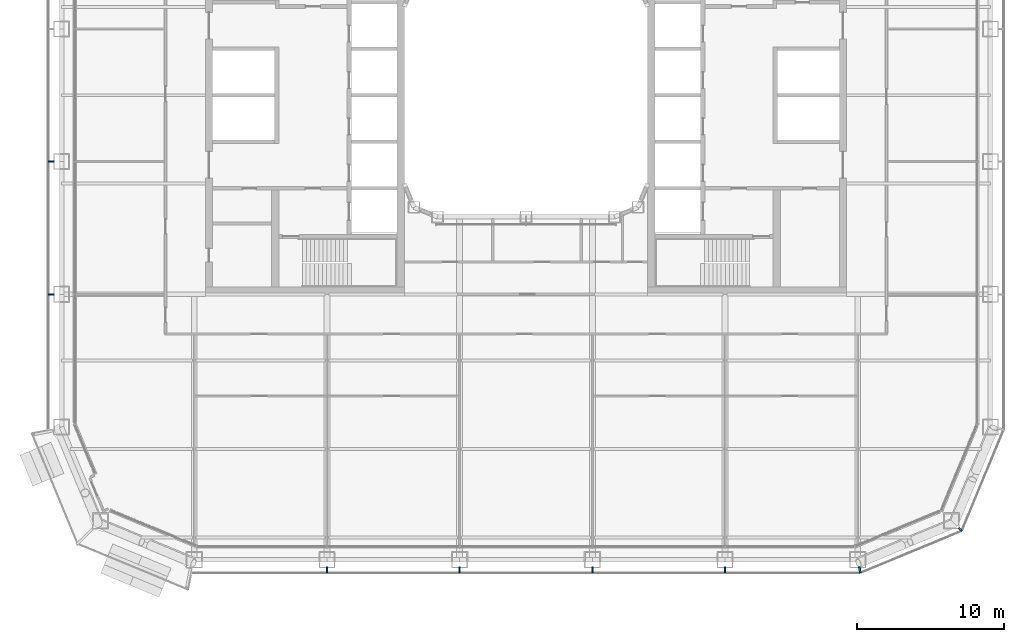
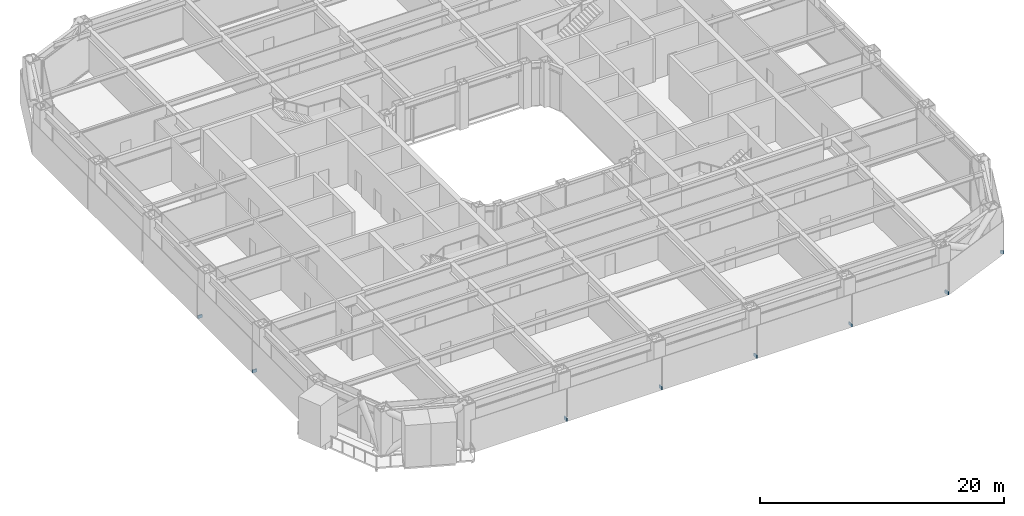
# One storey, part 19 of 27: 8 discrete accessories.
"""IFC4 building model written with IfcOpenShell, lengths in metres."""

from ifc_helpers import new_model, si_unit, direction, frame, origin, origin_2d, place, context, subcontext, project, spatial, rectangle, extrude, material, type_object, element, save


model = new_model("IFC4")

# Units and contexts
model_context = context("Model", 3, precision=1e-05, world=origin(), true_north=direction((0.0, 1.0)))
body_context = subcontext(model_context, "Body", "Model", "MODEL_VIEW")
ifc_project = project(units=[si_unit("LENGTHUNIT", "METRE"), si_unit("AREAUNIT", "SQUARE_METRE"), si_unit("VOLUMEUNIT", "CUBIC_METRE"), si_unit("PLANEANGLEUNIT", "RADIAN"), si_unit("MASSUNIT", "GRAM", prefix="KILO")], contexts=[model_context])

# Site, building, storey
site_placement = place(None, origin())
site = spatial("IfcSite", under=ifc_project, at=site_placement, CompositionType="ELEMENT")
building_placement = place(site_placement, origin())
building = spatial("IfcBuilding", under=site, at=building_placement, Name="Siwar Civic Tower", CompositionType="ELEMENT")
storey_placement = place(building_placement, frame((0.0, 0.0, 35.699951171875)))
storey = spatial("IfcBuildingStorey", under=building, at=storey_placement, Name="L07", CompositionType="ELEMENT", Elevation=35.699951171875)

# Discrete accessories
ifc_material = material(Name="Stainless steel 316", Category="steel")
discrete_accessory_type = type_object("IfcDiscreteAccessoryType", Name="ENV-BRACKET", PredefinedType="BRACKET", material=ifc_material)
for number, where, z_axis, x_axis, name in (
    (1, (-13.5, -32.18994140625, -0.14990234375), (0.0, 0.0, 1.0), (0.0, -1.0, 0.0), "Bracket outer skin joint S-01"),
    (2, (-4.5, -32.18994140625, -0.14990234375), (0.0, 0.0, 1.0), (0.0, -1.0, 0.0), "Bracket outer skin joint S-02"),
    (3, (4.5, -32.18994140625, -0.14990234375), (0.0, 0.0, 1.0), (0.0, -1.0, 0.0), "Bracket outer skin joint S-03"),
    (4, (13.5, -32.18994140625, -0.14990234375), (0.0, 0.0, 1.0), (0.0, -1.0, 0.0), "Bracket outer skin joint S-04"),
):
    element("IfcDiscreteAccessory", number, at=place(storey_placement, frame(where, z_axis=z_axis, x_axis=x_axis)), inside=storey, type_object=discrete_accessory_type, Name=name, PredefinedType="BRACKET", context=body_context, shape_type="SweptSolid", body=[
        extrude(rectangle(XDim=0.419921875, YDim=0.10009765625, at=origin_2d()), origin(), (0.0, 0.0, 1.0), 0.300048828125),
    ])
discrete_accessory_1_placement = place(storey_placement, frame((22.63720703125, -32.190185546875, -0.14990234375), z_axis=(0.0, 0.0, 1.0), x_axis=(0.195090322016, -0.980785280403, 0.0)))
element("IfcDiscreteAccessory", 5, at=discrete_accessory_1_placement, inside=storey, type_object=discrete_accessory_type, Name="Bracket outer skin joint V01", PredefinedType="BRACKET", context=body_context, shape_type="SweptSolid", body=[
    extrude(rectangle(XDim=0.427734375, YDim=0.13720703125, at=origin_2d()), origin(), (0.0, 0.0, 1.0), 0.300048828125),
])
discrete_accessory_2_placement = place(storey_placement, frame((29.451416015625, -29.451416015625, -0.14990234375), z_axis=(0.0, 0.0, 1.0), x_axis=(0.707106781187, -0.707106781187, 0.0)))
element("IfcDiscreteAccessory", 6, at=discrete_accessory_2_placement, inside=storey, type_object=discrete_accessory_type, Name="Bracket outer skin joint V02", PredefinedType="BRACKET", context=body_context, shape_type="SweptSolid", body=[
    extrude(rectangle(XDim=0.287109375, YDim=0.12939453125, at=origin_2d()), origin(), (0.0, 0.0, 1.0), 0.300048828125),
])
for number, where, z_axis, x_axis, name in (
    (7, (-32.18994140625, -4.5, -0.14990234375), (0.0, 0.0, 1.0), (-1.0, 0.0, 0.0), "Bracket outer skin joint W-03"),
    (8, (-32.18994140625, -13.5, -0.14990234375), (0.0, 0.0, 1.0), (-1.0, 0.0, 0.0), "Bracket outer skin joint W-04"),
):
    element("IfcDiscreteAccessory", number, at=place(storey_placement, frame(where, z_axis=z_axis, x_axis=x_axis)), inside=storey, type_object=discrete_accessory_type, Name=name, PredefinedType="BRACKET", context=body_context, shape_type="SweptSolid", body=[
        extrude(rectangle(XDim=0.419921875, YDim=0.10009765625, at=origin_2d()), origin(), (0.0, 0.0, 1.0), 0.300048828125),
    ])

save(model, "model.ifc")
